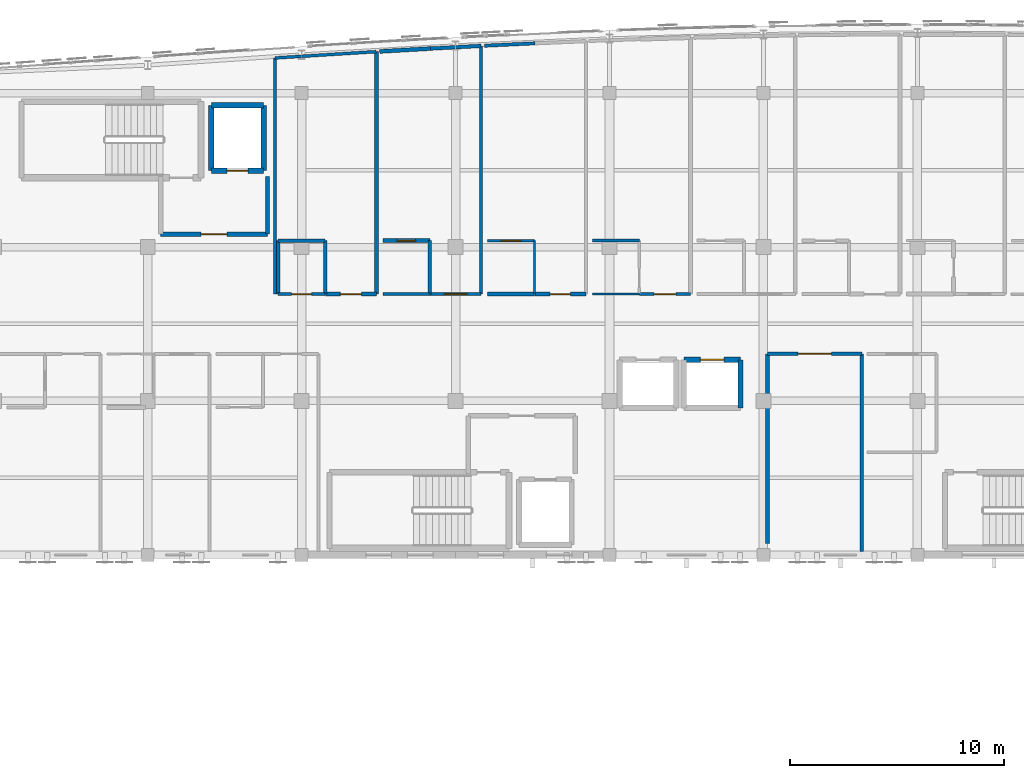
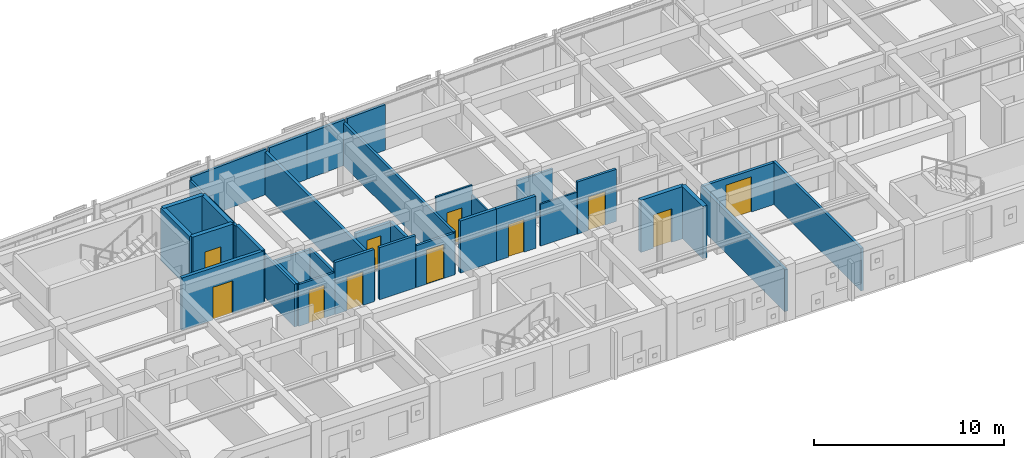
# One storey, part 60 of 73: 34 walls, 11 doors, 11 openings.
"""IFC4 building model written with IfcOpenShell, lengths in metres."""

import ifcopenshell
import ifcopenshell.guid

model = None  # the IFC model being written
_history = None  # IfcOwnerHistory: only IFC2X3 demands one
_inside = {}  # id of a spatial element -> (the spatial element, [elements in it])
_under = {}  # id of a project, library or spatial element -> (it, [spatial elements below it])
_declared = {}  # id of a project -> (the project, [libraries it declares])
_typed = {}  # id of a type object -> (the type object, [elements of that type])
_made_of = {}  # id of a material, layer set ... -> (it, [elements and type objects made of it])


def new_model(schema):
    """Start an empty IFC model of exactly this schema.

    Asked for "IFC4X3", IfcOpenShell would pick the latest addendum, in which some entities
    have other attributes; the version numbers below select the first issue.
    IFC2X3 requires an IfcOwnerHistory on every rooted entity: one is made here for all.
    """
    global model, _history
    if schema == "IFC4X3":
        model = ifcopenshell.file(schema_version=(4, 3, 0, 0))
    else:
        model = ifcopenshell.file(schema=schema)
    _inside.clear()
    _under.clear()
    _declared.clear()
    _typed.clear()
    _made_of.clear()
    _history = None
    if model.schema == "IFC2X3":
        org = make("IfcOrganization", Name="unknown")
        user = make(
            "IfcPersonAndOrganization",
            ThePerson=make("IfcPerson", FamilyName="unknown"),
            TheOrganization=org,
        )
        app = make(
            "IfcApplication",
            ApplicationDeveloper=org,
            Version="unknown",
            ApplicationFullName="unknown",
            ApplicationIdentifier="unknown",
        )
        _history = make(
            "IfcOwnerHistory",
            OwningUser=user,
            OwningApplication=app,
            ChangeAction="ADDED",
            CreationDate=0,
        )
    return model


def make(cls, **values):
    """One entity of the class cls with the attributes given. An attribute that is None is left unset."""
    return model.create_entity(
        cls, **{name: value for name, value in values.items() if value is not None}
    )


def rooted(cls, **values):
    """An entity with a GlobalId (a new one), such as an element, a storey or a relation."""
    return make(cls, GlobalId=ifcopenshell.guid.new(), OwnerHistory=_history, **values)


def si_unit(unit_type, name, prefix=None):
    """IfcSIUnit, for example si_unit("LENGTHUNIT", "METRE", prefix="MILLI")."""
    return make("IfcSIUnit", UnitType=unit_type, Prefix=prefix, Name=name)


def assignment(units):
    """IfcUnitAssignment: the units of a project."""
    return None if units is None else make("IfcUnitAssignment", Units=units)


def point(xyz):
    """IfcCartesianPoint."""
    return None if xyz is None else make("IfcCartesianPoint", Coordinates=xyz)


def direction(xyz):
    """IfcDirection."""
    return None if xyz is None else make("IfcDirection", DirectionRatios=xyz)


def frame(location, z_axis=None, x_axis=None):
    """IfcAxis2Placement3D, a coordinate frame: its origin and axes. An axis left out is left unset."""
    return make(
        "IfcAxis2Placement3D",
        Location=point(location),
        Axis=direction(z_axis),
        RefDirection=direction(x_axis),
    )


def frame_2d(location, x_axis=None):
    """IfcAxis2Placement2D, a coordinate frame in the plane: its origin and x axis."""
    return make(
        "IfcAxis2Placement2D", Location=point(location), RefDirection=direction(x_axis)
    )


def origin():
    """The frame at (0, 0, 0) with its axes left unset."""
    return frame((0.0, 0.0, 0.0))


def place(relative_to, where):
    """IfcLocalPlacement: puts the frame where relative to a parent placement (None: the world)."""
    return make(
        "IfcLocalPlacement", PlacementRelTo=relative_to, RelativePlacement=where
    )


def context(
    kind, dimensions, precision=None, world=None, true_north=None, identifier=None
):
    """IfcGeometricRepresentationContext, for example the 3D "Model" context."""
    return make(
        "IfcGeometricRepresentationContext",
        ContextIdentifier=identifier,
        ContextType=kind,
        CoordinateSpaceDimension=dimensions,
        Precision=precision,
        WorldCoordinateSystem=world,
        TrueNorth=true_north,
    )


def subcontext(parent, identifier, kind, view, scale=None):
    """IfcGeometricRepresentationSubContext, for example "Body" below "Model"."""
    return make(
        "IfcGeometricRepresentationSubContext",
        ContextIdentifier=identifier,
        ContextType=kind,
        ParentContext=parent,
        TargetScale=scale,
        TargetView=view,
    )


def project(units=None, contexts=None):
    """IfcProject with its units and contexts."""
    return rooted(
        "IfcProject",
        Name="project",
        RepresentationContexts=contexts,
        UnitsInContext=assignment(units),
    )


def spatial(cls, under=None, at=None, **own):
    """A site, building, storey or space (cls), placed at a placement, below another one or the project."""
    s = rooted(cls, ObjectPlacement=at, **own)
    if under is not None:
        _under.setdefault(under.id(), (under, []))[1].append(s)
    return s


def profile(cls, at=None, kind="AREA", **sizes):
    """A parametric profile (cls). Its sizes go by their IFC names, for example OverallWidth=200.0."""
    return make(cls, ProfileType=kind, Position=at, **sizes)


def rectangle(**sizes):
    """IfcRectangleProfileDef."""
    return profile("IfcRectangleProfileDef", **sizes)


def extrude(swept, where, along, depth):
    """IfcExtrudedAreaSolid: the profile swept, set in the frame where, extruded along a direction by depth."""
    return make(
        "IfcExtrudedAreaSolid",
        SweptArea=swept,
        Position=where,
        ExtrudedDirection=direction(along),
        Depth=depth,
    )


def shape(context_of_items, identifier, shape_type, items):
    """IfcShapeRepresentation: the items that make up one representation, for example the "Body"."""
    return make(
        "IfcShapeRepresentation",
        ContextOfItems=context_of_items,
        RepresentationIdentifier=identifier,
        RepresentationType=shape_type,
        Items=items,
    )


def material(Name=None, Category=None):
    """IfcMaterial."""
    return make("IfcMaterial", Name=Name, Category=Category)


def layer(
    of_material, thickness, ventilated=None, Name=None, Category=None, Priority=None
):
    """IfcMaterialLayer: one layer of a wall or slab, of a material (None: an air gap)."""
    return make(
        "IfcMaterialLayer",
        Material=of_material,
        LayerThickness=thickness,
        IsVentilated=ventilated,
        Name=Name,
        Category=Category,
        Priority=Priority,
    )


def layer_set(layers, Name=None):
    """IfcMaterialLayerSet."""
    return make("IfcMaterialLayerSet", MaterialLayers=layers, LayerSetName=Name)


def made_of(thing, what):
    """Note that an element or type object is made of a material, layer set ...; save() writes the relation."""
    if what is not None:
        _made_of.setdefault(what.id(), (what, []))[1].append(thing)
    return thing


def type_object(cls, material=None, **own):
    """A type object (cls), such as IfcWallType, which elements share."""
    return made_of(rooted(cls, **own), material)


def element(
    cls,
    number,
    at=None,
    inside=None,
    cuts=None,
    type_object=None,
    material=None,
    context=None,
    identifier="Body",
    shape_type=None,
    held_by="IfcProductDefinitionShape",
    body=None,
    shapes=None,
    **own,
):
    """One element of the class cls, such as IfcWall. Its Tag is "e" and its number.

    at: its placement. inside: the storey or other place that contains it. cuts: it is an
    opening in that element (IfcRelVoidsElement). A single representation is given by context,
    identifier, shape_type and body (its items); several are given by shapes. held_by: the class
    of the entity that holds the representations. save() writes the other relations.
    """
    e = rooted(cls, Tag="e%d" % number, ObjectPlacement=at, **own)
    if body is not None:
        shapes = [shape(context, identifier, shape_type, body)]
    if shapes is not None:
        e.Representation = make(held_by, Representations=shapes)
    if inside is not None:
        _inside.setdefault(inside.id(), (inside, []))[1].append(e)
    if cuts is not None:
        rooted(
            "IfcRelVoidsElement", RelatingBuildingElement=cuts, RelatedOpeningElement=e
        )
    if type_object is not None:
        _typed.setdefault(type_object.id(), (type_object, []))[1].append(e)
    return made_of(e, material)


def fill(opening, filler):
    """IfcRelFillsElement: the door or window that sits in an opening."""
    return rooted(
        "IfcRelFillsElement",
        RelatingOpeningElement=opening,
        RelatedBuildingElement=filler,
    )


def aggregate(whole, parts):
    """IfcRelAggregates: a whole, such as a stair, and the parts it consists of."""
    return rooted("IfcRelAggregates", RelatingObject=whole, RelatedObjects=parts)


def save(model, path):
    """Write the relations noted so far, then the file.

    IfcRelAggregates (storeys below a building ...), IfcRelContainedInSpatialStructure (elements
    in a storey), IfcRelDefinesByType, IfcRelAssociatesMaterial and IfcRelDeclares: one each for
    every whole, place, type object, material and project.
    """
    for whole, parts in _under.values():
        aggregate(whole, parts)
    for where, things in _inside.values():
        rooted(
            "IfcRelContainedInSpatialStructure",
            RelatedElements=things,
            RelatingStructure=where,
        )
    for kind, things in _typed.values():
        rooted("IfcRelDefinesByType", RelatedObjects=things, RelatingType=kind)
    for what, things in _made_of.values():
        rooted("IfcRelAssociatesMaterial", RelatedObjects=things, RelatingMaterial=what)
    for by, libraries in _declared.values():
        rooted("IfcRelDeclares", RelatingContext=by, RelatedDefinitions=libraries)
    model.write(path)


model = new_model("IFC4")

# Units and contexts
model_context = context("Model", 3, precision=1e-05, world=origin(), true_north=direction((0.0, 1.0)))
body_context = subcontext(model_context, "Body", "Model", "MODEL_VIEW")
ifc_project = project(units=[si_unit("LENGTHUNIT", "METRE"), si_unit("AREAUNIT", "SQUARE_METRE"), si_unit("VOLUMEUNIT", "CUBIC_METRE"), si_unit("PLANEANGLEUNIT", "RADIAN"), si_unit("MASSUNIT", "GRAM", prefix="KILO")], contexts=[model_context])

# Site, building, storey
site_placement = place(None, origin())
site = spatial("IfcSite", under=ifc_project, at=site_placement, CompositionType="ELEMENT")
building_placement = place(site_placement, origin())
building = spatial("IfcBuilding", under=site, at=building_placement, Name="Carrowvane Square Congress Hotel", CompositionType="ELEMENT")
storey_placement = place(building_placement, frame((0.0, 0.0, 19.199951171875)))
storey = spatial("IfcBuildingStorey", under=building, at=storey_placement, Name="L04", CompositionType="ELEMENT", Elevation=19.199951171875)

# Walls
ifc_material_1 = material(Name="Acoustic gypsum board", Category="gypsum")
ifc_layer_1 = layer(ifc_material_1, 0.155029296875)
ifc_layer_set_1 = layer_set([ifc_layer_1], Name="Acoustic gypsum board")
wall_type_1 = type_object("IfcWallType", Name="WL-FIR-155", PredefinedType="PARTITIONING", material=ifc_layer_set_1)
wall_1_placement = place(storey_placement, frame((95.39990234375, 101.199951171875, 0.0), z_axis=(0.0, 0.0, 1.0), x_axis=(0.0, -1.0, 0.0)))
element("IfcWall", 1, at=wall_1_placement, inside=storey, type_object=wall_type_1, Name="L04 L04 Housekeeping Linen Pantry partition", PredefinedType="PARTITIONING", context=body_context, shape_type="SweptSolid", body=[
    extrude(rectangle(XDim=9.239990234375, YDim=0.155029296875, at=frame_2d((4.6201171875, 0.0))), origin(), (0.0, 0.0, 1.0), 2.735107421875),
])
wall_2_placement = place(storey_placement, frame((68.10009765625, 106.5, 0.0), z_axis=(0.0, 0.0, 1.0), x_axis=(1.0, 0.0, 0.0)))
element("IfcWall", 2, at=wall_2_placement, inside=storey, type_object=wall_type_1, Name="L04 En-suite Bathroom 0410 partition", PredefinedType="PARTITIONING", context=body_context, shape_type="SweptSolid", body=[
    extrude(rectangle(XDim=2.199951171875, YDim=0.155029296875, at=frame_2d((1.10009765625, 0.0))), origin(), (0.0, 0.0, 1.0), 2.68505859375),
])
wall_3_placement = place(storey_placement, frame((75.199951171875, 104.0, 0.0), z_axis=(0.0, 0.0, 1.0), x_axis=(-1.0, 0.0, 0.0)))
element("IfcWall", 3, at=wall_3_placement, inside=storey, type_object=wall_type_1, Name="L04 En-suite Bathroom 0411 partition", PredefinedType="PARTITIONING", context=body_context, shape_type="SweptSolid", body=[
    extrude(rectangle(XDim=2.199951171875, YDim=0.155029296875, at=frame_2d((1.10009765625, 0.0))), origin(), (0.0, 0.0, 1.0), 3.35009765625),
])
wall_4_placement = place(storey_placement, frame((77.590087890625, 115.607421875, 0.0), z_axis=(0.0, 0.0, 1.0), x_axis=(0.0, -1.0, 0.0)))
element("IfcWall", 4, at=wall_4_placement, inside=storey, type_object=wall_type_1, Name="L04 Parkview Guest Bedroom 0411 partition", PredefinedType="PARTITIONING", context=body_context, shape_type="SweptSolid", body=[
    extrude(rectangle(XDim=11.607421875, YDim=0.155029296875, at=frame_2d((5.8037109375, 0.0))), origin(), (0.0, 0.0, 1.0), 2.735107421875),
])
wall_5_placement = place(storey_placement, frame((77.75, 115.615478515625, 0.0), z_axis=(0.0, 0.0, 1.0), x_axis=(0.998864643261, 0.047638476497, 0.0)))
element("IfcWall", 5, at=wall_5_placement, inside=storey, type_object=wall_type_1, Name="L04 Parkview Guest Bedroom 0412 partition", PredefinedType="PARTITIONING", context=body_context, shape_type="SweptSolid", body=[
    extrude(rectangle(XDim=2.372802734375, YDim=0.155029296875, at=frame_2d((1.1865234375, 0.0))), origin(), (0.0, 0.0, 1.0), 2.925537109375),
])

# Wall, opening, door
wall_6_placement = place(storey_placement, frame((87.389892578125, 104.0, 0.0), z_axis=(0.0, 0.0, 1.0), x_axis=(-1.0, 0.0, 0.0)))
wall_6 = element("IfcWall", 6, at=wall_6_placement, inside=storey, type_object=wall_type_1, Name="L04 Parkview Guest Bedroom 0413 partition", PredefinedType="PARTITIONING", context=body_context, shape_type="SweptSolid", body=[
    extrude(rectangle(XDim=2.3798828125, YDim=0.155029296875, at=frame_2d((1.18994140625, 0.0))), origin(), (0.0, 0.0, 1.0), 3.35009765625),
])
opening_1_placement = place(wall_6_placement, frame((0.679931640625, 0.0, 0.0)))
opening_1 = element("IfcOpeningElement", 7, at=opening_1_placement, cuts=wall_6, Name="Opening FD-08", PredefinedType="OPENING", context=body_context, shape_type="SweptSolid", body=[
    extrude(rectangle(XDim=1.02001953125, YDim=2.14990234375, at=frame_2d((0.510009765625, 1.074951171875))), frame((0.0, 0.08740234375, 0.0), z_axis=(0.0, -1.0, 0.0), x_axis=(1.0, 0.0, 0.0)), (0.0, 0.0, 1.0), 0.175048828125),
])
ifc_material_2 = material(Name="European oak timber", Category="wood")
door_type_1 = type_object("IfcDoorType", Name="DR-FD30-1020x2150", OperationType="NOTDEFINED", PredefinedType="DOOR", material=ifc_material_2)
door_1_placement = place(opening_1_placement, origin())
door_1 = element("IfcDoor", 8, at=door_1_placement, inside=storey, type_object=door_type_1, Name="L04 Parkview Guest Bedroom 0413 entrance door", OperationType="SINGLE_SWING_RIGHT", OverallHeight=2.14990234375, OverallWidth=1.02001953125, PredefinedType="DOOR", context=body_context, shape_type="SweptSolid", body=[
    extrude(rectangle(XDim=1.02001953125, YDim=2.14990234375, at=frame_2d((0.510009765625, 1.074951171875))), frame((0.0, 0.02490234375, 0.0), z_axis=(0.0, -1.0, 0.0), x_axis=(1.0, 0.0, 0.0)), (0.0, 0.0, 1.0), 0.050048828125),
])
fill(opening_1, door_1)

ifc_material_3 = material(Name="Acoustic gypsum board", Category="gypsum")
ifc_layer_2 = layer(ifc_material_3, 0.169921875)
ifc_layer_set_2 = layer_set([ifc_layer_2], Name="Acoustic gypsum board")
wall_type_2 = type_object("IfcWallType", Name="WL-FIR-170", PredefinedType="PARTITIONING", material=ifc_layer_set_2)
wall_7_placement = place(storey_placement, frame((91.0, 101.199951171875, 0.0), z_axis=(0.0, 0.0, 1.0), x_axis=(1.0, 0.0, 0.0)))
wall_7 = element("IfcWall", 9, at=wall_7_placement, inside=storey, type_object=wall_type_2, Name="L04 L04 Housekeeping Linen Pantry partition", PredefinedType="PARTITIONING", context=body_context, shape_type="SweptSolid", body=[
    extrude(rectangle(XDim=4.39990234375, YDim=0.169921875, at=frame_2d((2.199951171875, 0.0))), origin(), (0.0, 0.0, 1.0), 2.68505859375),
])
opening_2_placement = place(wall_7_placement, frame((1.419921875, 0.0, 0.0)))
opening_2 = element("IfcOpeningElement", 10, at=opening_2_placement, cuts=wall_7, Name="Opening ID-26", PredefinedType="OPENING", context=body_context, shape_type="SweptSolid", body=[
    extrude(rectangle(XDim=1.56005859375, YDim=2.260009765625, at=frame_2d((0.780029296875, 1.1298828125))), frame((0.0, 0.094970703125, 0.0), z_axis=(0.0, -1.0, 0.0), x_axis=(1.0, 0.0, 0.0)), (0.0, 0.0, 1.0), 0.18994140625),
])
ifc_material_4 = material(Name="European oak timber", Category="wood")
door_type_2 = type_object("IfcDoorType", Name="DR-INT-1560x2260", OperationType="DOUBLE_DOOR_SINGLE_SWING", PredefinedType="DOOR", material=ifc_material_4)
door_2_placement = place(opening_2_placement, origin())
door_2 = element("IfcDoor", 11, at=door_2_placement, inside=storey, type_object=door_type_2, Name="L04 L04 Housekeeping Linen Pantry entrance door", OperationType="DOUBLE_DOOR_SINGLE_SWING", OverallHeight=2.260009765625, OverallWidth=1.56005859375, PredefinedType="DOOR", context=body_context, shape_type="SweptSolid", body=[
    extrude(rectangle(XDim=1.56005859375, YDim=2.260009765625, at=frame_2d((0.780029296875, 1.1298828125))), frame((0.0, 0.02490234375, 0.0), z_axis=(0.0, -1.0, 0.0), x_axis=(1.0, 0.0, 0.0)), (0.0, 0.0, 1.0), 0.050048828125),
])
fill(opening_2, door_2)

# Wall
wall_8_placement = place(storey_placement, frame((68.10009765625, 104.0, 0.0), z_axis=(0.0, 0.0, 1.0), x_axis=(0.0, 1.0, 0.0)))
element("IfcWall", 12, at=wall_8_placement, inside=storey, type_object=wall_type_2, Name="L04 En-suite Bathroom 0410 partition", PredefinedType="PARTITIONING", context=body_context, shape_type="SweptSolid", body=[
    extrude(rectangle(XDim=2.5, YDim=0.169921875, at=frame_2d((1.25, 0.0))), origin(), (0.0, 0.0, 1.0), 2.735107421875),
])

# Wall, opening, door
wall_9_placement = place(storey_placement, frame((72.68994140625, 104.0, 0.0), z_axis=(0.0, 0.0, 1.0), x_axis=(-1.0, 0.0, 0.0)))
wall_9 = element("IfcWall", 13, at=wall_9_placement, inside=storey, type_object=wall_type_2, Name="L04 Parkview Guest Bedroom 0410 partition", PredefinedType="PARTITIONING", context=body_context, shape_type="SweptSolid", body=[
    extrude(rectangle(XDim=2.3798828125, YDim=0.169921875, at=frame_2d((1.18994140625, 0.0))), origin(), (0.0, 0.0, 1.0), 3.35009765625),
])
opening_3_placement = place(wall_9_placement, frame((0.699951171875, 0.0, 0.0)))
opening_3 = element("IfcOpeningElement", 14, at=opening_3_placement, cuts=wall_9, Name="Opening FD-07", PredefinedType="OPENING", context=body_context, shape_type="SweptSolid", body=[
    extrude(rectangle(XDim=0.97998046875, YDim=2.14990234375, at=frame_2d((0.489990234375, 1.074951171875))), frame((0.0, 0.094970703125, 0.0), z_axis=(0.0, -1.0, 0.0), x_axis=(1.0, 0.0, 0.0)), (0.0, 0.0, 1.0), 0.18994140625),
])
ifc_material_5 = material(Name="European oak timber", Category="wood")
door_type_3 = type_object("IfcDoorType", Name="DR-FD30-0980x2150", OperationType="NOTDEFINED", PredefinedType="DOOR", material=ifc_material_5)
door_3_placement = place(opening_3_placement, origin())
door_3 = element("IfcDoor", 15, at=door_3_placement, inside=storey, type_object=door_type_3, Name="L04 Parkview Guest Bedroom 0410 entrance door", OperationType="SINGLE_SWING_RIGHT", OverallHeight=2.14990234375, OverallWidth=0.97998046875, PredefinedType="DOOR", context=body_context, shape_type="SweptSolid", body=[
    extrude(rectangle(XDim=0.97998046875, YDim=2.14990234375, at=frame_2d((0.489990234375, 1.074951171875))), frame((0.0, 0.02490234375, 0.0), z_axis=(0.0, -1.0, 0.0), x_axis=(1.0, 0.0, 0.0)), (0.0, 0.0, 1.0), 0.050048828125),
])
fill(opening_3, door_3)

# Walls
wall_10_placement = place(storey_placement, frame((75.199951171875, 106.5, 0.0), z_axis=(0.0, 0.0, 1.0), x_axis=(0.0, -1.0, 0.0)))
element("IfcWall", 16, at=wall_10_placement, inside=storey, type_object=wall_type_2, Name="L04 En-suite Bathroom 0411 partition", PredefinedType="PARTITIONING", context=body_context, shape_type="SweptSolid", body=[
    extrude(rectangle(XDim=2.5, YDim=0.169921875, at=frame_2d((1.25, 0.0))), origin(), (0.0, 0.0, 1.0), 2.735107421875),
])
wall_11_placement = place(storey_placement, frame((75.219970703125, 115.48291015625, 0.0), z_axis=(0.0, 0.0, 1.0), x_axis=(0.998622939487, 0.052461650097, 0.0)))
element("IfcWall", 17, at=wall_11_placement, inside=storey, type_object=wall_type_2, Name="L04 Parkview Guest Bedroom 0411 partition", PredefinedType="PARTITIONING", context=body_context, shape_type="SweptSolid", body=[
    extrude(rectangle(XDim=2.373291015625, YDim=0.169921875, at=frame_2d((1.1865234375, 0.0))), origin(), (0.0, 0.0, 1.0), 2.925537109375),
])
ifc_material_6 = material(Name="Acoustic gypsum board", Category="gypsum")
ifc_layer_3 = layer(ifc_material_6, 0.18505859375)
ifc_layer_set_3 = layer_set([ifc_layer_3], Name="Acoustic gypsum board")
wall_type_3 = type_object("IfcWallType", Name="WL-FIR-185", PredefinedType="PARTITIONING", material=ifc_layer_set_3)
wall_12_placement = place(storey_placement, frame((91.0, 92.320068359375, 0.0), z_axis=(0.0, 0.0, 1.0), x_axis=(0.0, 1.0, 0.0)))
element("IfcWall", 18, at=wall_12_placement, inside=storey, type_object=wall_type_3, Name="L04 L04 Housekeeping Linen Pantry partition", PredefinedType="PARTITIONING", context=body_context, shape_type="SweptSolid", body=[
    extrude(rectangle(XDim=8.8798828125, YDim=0.18505859375, at=frame_2d((4.43994140625, 0.0))), origin(), (0.0, 0.0, 1.0), 2.68505859375),
])
wall_13_placement = place(storey_placement, frame((72.68994140625, 115.338623046875, 0.0), z_axis=(0.0, 0.0, 1.0), x_axis=(0.0, -1.0, 0.0)))
element("IfcWall", 19, at=wall_13_placement, inside=storey, type_object=wall_type_3, Name="L04 Parkview Guest Bedroom 0410 partition", PredefinedType="PARTITIONING", context=body_context, shape_type="SweptSolid", body=[
    extrude(rectangle(XDim=11.338623046875, YDim=0.18505859375, at=frame_2d((5.66943359375, 0.0))), origin(), (0.0, 0.0, 1.0), 2.735107421875),
])

# Wall, opening, door
wall_14_placement = place(storey_placement, frame((73.0, 106.5, 0.0), z_axis=(0.0, 0.0, 1.0), x_axis=(1.0, 0.0, 0.0)))
wall_14 = element("IfcWall", 20, at=wall_14_placement, inside=storey, type_object=wall_type_3, Name="L04 En-suite Bathroom 0411 partition", PredefinedType="PARTITIONING", context=body_context, shape_type="SweptSolid", body=[
    extrude(rectangle(XDim=2.199951171875, YDim=0.18505859375, at=frame_2d((1.10009765625, 0.0))), origin(), (0.0, 0.0, 1.0), 2.735107421875),
])
opening_4_placement = place(wall_14_placement, frame((0.6650390625, 0.0, 0.0)))
opening_4 = element("IfcOpeningElement", 21, at=opening_4_placement, cuts=wall_14, Name="Opening ID-15", PredefinedType="OPENING", context=body_context, shape_type="SweptSolid", body=[
    extrude(rectangle(XDim=0.8701171875, YDim=2.070068359375, at=frame_2d((0.43505859375, 1.03515625))), frame((0.0, 0.1025390625, 0.0), z_axis=(0.0, -1.0, 0.0), x_axis=(1.0, 0.0, 0.0)), (0.0, 0.0, 1.0), 0.205078125),
])
ifc_material_7 = material(Name="European oak timber", Category="wood")
door_type_4 = type_object("IfcDoorType", Name="DR-INT-0870x2070", OperationType="NOTDEFINED", PredefinedType="DOOR", material=ifc_material_7)
door_4_placement = place(opening_4_placement, origin())
door_4 = element("IfcDoor", 22, at=door_4_placement, inside=storey, type_object=door_type_4, Name="L04 En-suite Bathroom 0411 door", OperationType="SINGLE_SWING_LEFT", OverallHeight=2.070068359375, OverallWidth=0.8701171875, PredefinedType="DOOR", context=body_context, shape_type="SweptSolid", body=[
    extrude(rectangle(XDim=0.8701171875, YDim=2.070068359375, at=frame_2d((0.43505859375, 1.03515625))), frame((0.0, 0.02490234375, 0.0), z_axis=(0.0, -1.0, 0.0), x_axis=(1.0, 0.0, 0.0)), (0.0, 0.0, 1.0), 0.050048828125),
])
fill(opening_4, door_4)

# Walls
wall_15_placement = place(storey_placement, frame((72.85009765625, 115.34814453125, 0.0), z_axis=(0.0, 0.0, 1.0), x_axis=(0.99838702976, 0.056774455592, 0.0)))
element("IfcWall", 23, at=wall_15_placement, inside=storey, type_object=wall_type_3, Name="L04 Parkview Guest Bedroom 0411 partition", PredefinedType="PARTITIONING", context=body_context, shape_type="SweptSolid", body=[
    extrude(rectangle(XDim=2.373779296875, YDim=0.18505859375, at=frame_2d((1.18701171875, 0.0))), origin(), (0.0, 0.0, 1.0), 2.925537109375),
])
wall_16_placement = place(storey_placement, frame((80.10009765625, 104.0, 0.0), z_axis=(0.0, 0.0, 1.0), x_axis=(-1.0, 0.0, 0.0)))
element("IfcWall", 24, at=wall_16_placement, inside=storey, type_object=wall_type_3, Name="L04 En-suite Bathroom 0412 partition", PredefinedType="PARTITIONING", context=body_context, shape_type="SweptSolid", body=[
    extrude(rectangle(XDim=2.2001953125, YDim=0.18505859375, at=frame_2d((1.10009765625, 0.0))), origin(), (0.0, 0.0, 1.0), 3.35009765625),
])

# Wall, opening, door
wall_17_placement = place(storey_placement, frame((82.489990234375, 104.0, 0.0), z_axis=(0.0, 0.0, 1.0), x_axis=(-1.0, 0.0, 0.0)))
wall_17 = element("IfcWall", 25, at=wall_17_placement, inside=storey, type_object=wall_type_3, Name="L04 Parkview Guest Bedroom 0412 partition", PredefinedType="PARTITIONING", context=body_context, shape_type="SweptSolid", body=[
    extrude(rectangle(XDim=2.3798828125, YDim=0.18505859375, at=frame_2d((1.18994140625, 0.0))), origin(), (0.0, 0.0, 1.0), 3.35009765625),
])
opening_5_placement = place(wall_17_placement, frame((0.715087890625, 0.0, 0.0)))
opening_5 = element("IfcOpeningElement", 26, at=opening_5_placement, cuts=wall_17, Name="Opening FD-06", PredefinedType="OPENING", context=body_context, shape_type="SweptSolid", body=[
    extrude(rectangle(XDim=0.949951171875, YDim=2.10009765625, at=frame_2d((0.47509765625, 1.050048828125))), frame((0.0, 0.1025390625, 0.0), z_axis=(0.0, -1.0, 0.0), x_axis=(1.0, 0.0, 0.0)), (0.0, 0.0, 1.0), 0.205078125),
])
ifc_material_8 = material(Name="European oak timber", Category="wood")
door_type_5 = type_object("IfcDoorType", Name="DR-FD30-0950x2100", OperationType="NOTDEFINED", PredefinedType="DOOR", material=ifc_material_8)
door_5_placement = place(opening_5_placement, origin())
door_5 = element("IfcDoor", 27, at=door_5_placement, inside=storey, type_object=door_type_5, Name="L04 Parkview Guest Bedroom 0412 entrance door", OperationType="SINGLE_SWING_RIGHT", OverallHeight=2.10009765625, OverallWidth=0.949951171875, PredefinedType="DOOR", context=body_context, shape_type="SweptSolid", body=[
    extrude(rectangle(XDim=0.949951171875, YDim=2.10009765625, at=frame_2d((0.47509765625, 1.050048828125))), frame((0.0, 0.02490234375, 0.0), z_axis=(0.0, -1.0, 0.0), x_axis=(1.0, 0.0, 0.0)), (0.0, 0.0, 1.0), 0.050048828125),
])
fill(opening_5, door_5)

ifc_material_9 = material(Name="Acoustic gypsum board", Category="gypsum")
ifc_layer_4 = layer(ifc_material_9, 0.205078125)
ifc_layer_set_4 = layer_set([ifc_layer_4], Name="Acoustic gypsum board")
wall_type_4 = type_object("IfcWallType", Name="WL-FIR-205", PredefinedType="PARTITIONING", material=ifc_layer_set_4)
wall_18_placement = place(storey_placement, frame((62.60009765625, 106.800048828125, 0.0), z_axis=(0.0, 0.0, 1.0), x_axis=(1.0, 0.0, 0.0)))
wall_18 = element("IfcWall", 28, at=wall_18_placement, inside=storey, type_object=wall_type_4, Name="L04 Firefighting Lobby C1 wall south", PredefinedType="PARTITIONING", context=body_context, shape_type="SweptSolid", body=[
    extrude(rectangle(XDim=5.0, YDim=0.205078125, at=frame_2d((2.5, 0.0))), origin(), (0.0, 0.0, 1.0), 3.35009765625),
])
opening_6_placement = place(wall_18_placement, frame((1.89990234375, 0.0, 0.0)))
opening_6 = element("IfcOpeningElement", 29, at=opening_6_placement, cuts=wall_18, Name="Opening FD-02", PredefinedType="OPENING", context=body_context, shape_type="SweptSolid", body=[
    extrude(rectangle(XDim=1.199951171875, YDim=2.10009765625, at=frame_2d((0.60009765625, 1.050048828125))), frame((0.0, 0.112548828125, 0.0), z_axis=(0.0, -1.0, 0.0), x_axis=(1.0, 0.0, 0.0)), (0.0, 0.0, 1.0), 0.22509765625),
])
ifc_material_10 = material(Name="European oak timber", Category="wood")
door_type_6 = type_object("IfcDoorType", Name="DR-FD60-1200x2100", OperationType="NOTDEFINED", PredefinedType="DOOR", material=ifc_material_10)
door_6_placement = place(opening_6_placement, origin())
door_6 = element("IfcDoor", 30, at=door_6_placement, inside=storey, type_object=door_type_6, Name="L04 Firefighting Lobby C1 entrance door", OperationType="SINGLE_SWING_LEFT", OverallHeight=2.10009765625, OverallWidth=1.199951171875, PredefinedType="DOOR", context=body_context, shape_type="SweptSolid", body=[
    extrude(rectangle(XDim=1.199951171875, YDim=2.10009765625, at=frame_2d((0.60009765625, 1.050048828125))), frame((0.0, 0.02490234375, 0.0), z_axis=(0.0, -1.0, 0.0), x_axis=(1.0, 0.0, 0.0)), (0.0, 0.0, 1.0), 0.050048828125),
])
fill(opening_6, door_6)

# Walls
wall_19_placement = place(storey_placement, frame((67.60009765625, 106.800048828125, 0.0), z_axis=(0.0, 0.0, 1.0), x_axis=(0.0, 1.0, 0.0)))
element("IfcWall", 31, at=wall_19_placement, inside=storey, type_object=wall_type_4, Name="L04 Firefighting Lobby C1 wall east", PredefinedType="PARTITIONING", context=body_context, shape_type="SweptSolid", body=[
    extrude(rectangle(XDim=2.699951171875, YDim=0.205078125, at=frame_2d((1.35009765625, 0.0))), origin(), (0.0, 0.0, 1.0), 3.35009765625),
])
ifc_material_11 = material(Name="Acoustic gypsum board", Category="gypsum")
ifc_layer_5 = layer(ifc_material_11, 0.097900390625)
ifc_layer_set_5 = layer_set([ifc_layer_5], Name="Acoustic gypsum board")
wall_type_5 = type_object("IfcWallType", Name="WL-PRT-098", PredefinedType="PARTITIONING", material=ifc_layer_set_5)
wall_20_placement = place(storey_placement, frame((80.10009765625, 106.5, 0.0), z_axis=(0.0, 0.0, 1.0), x_axis=(0.0, -1.0, 0.0)))
element("IfcWall", 32, at=wall_20_placement, inside=storey, type_object=wall_type_5, Name="L04 En-suite Bathroom 0412 partition", PredefinedType="PARTITIONING", context=body_context, shape_type="SweptSolid", body=[
    extrude(rectangle(XDim=2.5, YDim=0.097900390625, at=frame_2d((1.25, 0.0))), origin(), (0.0, 0.0, 1.0), 2.735107421875),
])

# Wall, opening, door
ifc_material_12 = material(Name="Acoustic gypsum board", Category="gypsum")
ifc_layer_6 = layer(ifc_material_12, 0.10791015625)
ifc_layer_set_6 = layer_set([ifc_layer_6], Name="Acoustic gypsum board")
wall_type_6 = type_object("IfcWallType", Name="WL-PRT-108", PredefinedType="PARTITIONING", material=ifc_layer_set_6)
wall_21_placement = place(storey_placement, frame((77.89990234375, 106.5, 0.0), z_axis=(0.0, 0.0, 1.0), x_axis=(1.0, 0.0, 0.0)))
wall_21 = element("IfcWall", 33, at=wall_21_placement, inside=storey, type_object=wall_type_6, Name="L04 En-suite Bathroom 0412 partition", PredefinedType="PARTITIONING", context=body_context, shape_type="SweptSolid", body=[
    extrude(rectangle(XDim=2.2001953125, YDim=0.10791015625, at=frame_2d((1.10009765625, 0.0))), origin(), (0.0, 0.0, 1.0), 3.35009765625),
])
opening_7_placement = place(wall_21_placement, frame((0.64501953125, 0.0, 0.0)))
opening_7 = element("IfcOpeningElement", 34, at=opening_7_placement, cuts=wall_21, Name="Opening ID-17", PredefinedType="OPENING", context=body_context, shape_type="SweptSolid", body=[
    extrude(rectangle(XDim=0.909912109375, YDim=2.110107421875, at=frame_2d((0.455078125, 1.05517578125))), frame((0.0, 0.06396484375, 0.0), z_axis=(0.0, -1.0, 0.0), x_axis=(1.0, 0.0, 0.0)), (0.0, 0.0, 1.0), 0.1279296875),
])
ifc_material_13 = material(Name="European oak timber", Category="wood")
door_type_7 = type_object("IfcDoorType", Name="DR-INT-0910x2110", OperationType="NOTDEFINED", PredefinedType="DOOR", material=ifc_material_13)
door_7_placement = place(opening_7_placement, origin())
door_7 = element("IfcDoor", 35, at=door_7_placement, inside=storey, type_object=door_type_7, Name="L04 En-suite Bathroom 0412 door", OperationType="SINGLE_SWING_LEFT", OverallHeight=2.110107421875, OverallWidth=0.909912109375, PredefinedType="DOOR", context=body_context, shape_type="SweptSolid", body=[
    extrude(rectangle(XDim=0.909912109375, YDim=2.110107421875, at=frame_2d((0.455078125, 1.05517578125))), frame((0.0, 0.02490234375, 0.0), z_axis=(0.0, -1.0, 0.0), x_axis=(1.0, 0.0, 0.0)), (0.0, 0.0, 1.0), 0.050048828125),
])
fill(opening_7, door_7)

# Walls
wall_22_placement = place(storey_placement, frame((85.0, 104.0, 0.0), z_axis=(0.0, 0.0, 1.0), x_axis=(-1.0, 0.0, 0.0)))
element("IfcWall", 36, at=wall_22_placement, inside=storey, type_object=wall_type_6, Name="L04 En-suite Bathroom 0413 partition", PredefinedType="PARTITIONING", context=body_context, shape_type="SweptSolid", body=[
    extrude(rectangle(XDim=2.199951171875, YDim=0.10791015625, at=frame_2d((1.10009765625, 0.0))), origin(), (0.0, 0.0, 1.0), 2.68505859375),
])
ifc_material_14 = material(Name="Acoustic gypsum board", Category="gypsum")
ifc_layer_7 = layer(ifc_material_14, 0.1279296875)
ifc_layer_set_7 = layer_set([ifc_layer_7], Name="Acoustic gypsum board")
wall_type_7 = type_object("IfcWallType", Name="WL-PRT-128", PredefinedType="PARTITIONING", material=ifc_layer_set_7)
wall_23_placement = place(storey_placement, frame((82.800048828125, 106.5, 0.0), z_axis=(0.0, 0.0, 1.0), x_axis=(1.0, 0.0, 0.0)))
element("IfcWall", 37, at=wall_23_placement, inside=storey, type_object=wall_type_7, Name="L04 En-suite Bathroom 0413 partition", PredefinedType="PARTITIONING", context=body_context, shape_type="SweptSolid", body=[
    extrude(rectangle(XDim=2.199951171875, YDim=0.1279296875, at=frame_2d((1.10009765625, 0.0))), origin(), (0.0, 0.0, 1.0), 2.68505859375),
])

# Wall, opening, door
ifc_material_15 = material(Name="Acoustic gypsum board", Category="gypsum")
ifc_layer_8 = layer(ifc_material_15, 0.137939453125)
ifc_layer_set_8 = layer_set([ifc_layer_8], Name="Acoustic gypsum board")
wall_type_8 = type_object("IfcWallType", Name="WL-PRT-138", PredefinedType="PARTITIONING", material=ifc_layer_set_8)
wall_24_placement = place(storey_placement, frame((70.300048828125, 104.0, 0.0), z_axis=(0.0, 0.0, 1.0), x_axis=(-1.0, 0.0, 0.0)))
wall_24 = element("IfcWall", 38, at=wall_24_placement, inside=storey, type_object=wall_type_8, Name="L04 En-suite Bathroom 0410 partition", PredefinedType="PARTITIONING", context=body_context, shape_type="SweptSolid", body=[
    extrude(rectangle(XDim=2.199951171875, YDim=0.137939453125, at=frame_2d((1.10009765625, 0.0))), origin(), (0.0, 0.0, 1.0), 2.68505859375),
])
opening_8_placement = place(wall_24_placement, frame((0.6298828125, 0.0, 0.0)))
opening_8 = element("IfcOpeningElement", 39, at=opening_8_placement, cuts=wall_24, Name="Opening ID-04", PredefinedType="OPENING", context=body_context, shape_type="SweptSolid", body=[
    extrude(rectangle(XDim=0.93994140625, YDim=2.1201171875, at=frame_2d((0.469970703125, 1.06005859375))), frame((0.0, 0.078857421875, 0.0), z_axis=(0.0, -1.0, 0.0), x_axis=(1.0, 0.0, 0.0)), (0.0, 0.0, 1.0), 0.157958984375),
])
ifc_material_16 = material(Name="European oak timber", Category="wood")
door_type_8 = type_object("IfcDoorType", Name="DR-INT-0940x2120", OperationType="NOTDEFINED", PredefinedType="DOOR", material=ifc_material_16)
door_8_placement = place(opening_8_placement, origin())
door_8 = element("IfcDoor", 40, at=door_8_placement, inside=storey, type_object=door_type_8, Name="L04 En-suite Bathroom 0410 door", OperationType="SINGLE_SWING_LEFT", OverallHeight=2.1201171875, OverallWidth=0.93994140625, PredefinedType="DOOR", context=body_context, shape_type="SweptSolid", body=[
    extrude(rectangle(XDim=0.93994140625, YDim=2.1201171875, at=frame_2d((0.469970703125, 1.06005859375))), frame((0.0, 0.02490234375, 0.0), z_axis=(0.0, -1.0, 0.0), x_axis=(1.0, 0.0, 0.0)), (0.0, 0.0, 1.0), 0.050048828125),
])
fill(opening_8, door_8)

# Walls
wall_25_placement = place(storey_placement, frame((67.949951171875, 115.042236328125, 0.0), z_axis=(0.0, 0.0, 1.0), x_axis=(0.998050777851, 0.062407089586, 0.0)))
element("IfcWall", 41, at=wall_25_placement, inside=storey, type_object=wall_type_8, Name="L04 Parkview Guest Bedroom 0410 partition", PredefinedType="PARTITIONING", context=body_context, shape_type="SweptSolid", body=[
    extrude(rectangle(XDim=4.749267578125, YDim=0.137939453125, at=frame_2d((2.37451171875, 0.0))), origin(), (0.0, 0.0, 1.0), 2.925537109375),
])
ifc_material_17 = material(Name="Acoustic gypsum board", Category="gypsum")
ifc_layer_9 = layer(ifc_material_17, 0.14794921875)
ifc_layer_set_9 = layer_set([ifc_layer_9], Name="Acoustic gypsum board")
wall_type_9 = type_object("IfcWallType", Name="WL-PRT-148", PredefinedType="PARTITIONING", material=ifc_layer_set_9)
wall_26_placement = place(storey_placement, frame((70.300048828125, 106.5, 0.0), z_axis=(0.0, 0.0, 1.0), x_axis=(0.0, -1.0, 0.0)))
element("IfcWall", 42, at=wall_26_placement, inside=storey, type_object=wall_type_9, Name="L04 En-suite Bathroom 0410 partition", PredefinedType="PARTITIONING", context=body_context, shape_type="SweptSolid", body=[
    extrude(rectangle(XDim=2.5, YDim=0.14794921875, at=frame_2d((1.25, 0.0))), origin(), (0.0, 0.0, 1.0), 2.735107421875),
])
wall_27_placement = place(storey_placement, frame((67.949951171875, 104.0, 0.0), z_axis=(0.0, 0.0, 1.0), x_axis=(0.0, 1.0, 0.0)))
element("IfcWall", 43, at=wall_27_placement, inside=storey, type_object=wall_type_9, Name="L04 Parkview Guest Bedroom 0410 partition", PredefinedType="PARTITIONING", context=body_context, shape_type="SweptSolid", body=[
    extrude(rectangle(XDim=11.042236328125, YDim=0.14794921875, at=frame_2d((5.52099609375, 0.0))), origin(), (0.0, 0.0, 1.0), 2.735107421875),
])

# Wall, opening, door
wall_28_placement = place(storey_placement, frame((77.590087890625, 104.0, 0.0), z_axis=(0.0, 0.0, 1.0), x_axis=(-1.0, 0.0, 0.0)))
wall_28 = element("IfcWall", 44, at=wall_28_placement, inside=storey, type_object=wall_type_9, Name="L04 Parkview Guest Bedroom 0411 partition", PredefinedType="PARTITIONING", context=body_context, shape_type="SweptSolid", body=[
    extrude(rectangle(XDim=2.380126953125, YDim=0.14794921875, at=frame_2d((1.18994140625, 0.0))), origin(), (0.0, 0.0, 1.0), 2.68505859375),
])
opening_9_placement = place(wall_28_placement, frame((0.659912109375, 0.0, 0.0)))
opening_9 = element("IfcOpeningElement", 45, at=opening_9_placement, cuts=wall_28, Name="Opening FD-09", PredefinedType="OPENING", context=body_context, shape_type="SweptSolid", body=[
    extrude(rectangle(XDim=1.06005859375, YDim=2.199951171875, at=frame_2d((0.530029296875, 1.10009765625))), frame((0.0, 0.083984375, 0.0), z_axis=(0.0, -1.0, 0.0), x_axis=(1.0, 0.0, 0.0)), (0.0, 0.0, 1.0), 0.16796875),
])
ifc_material_18 = material(Name="European oak timber", Category="wood")
door_type_9 = type_object("IfcDoorType", Name="DR-FD30-1060x2200", OperationType="NOTDEFINED", PredefinedType="DOOR", material=ifc_material_18)
door_9_placement = place(opening_9_placement, origin())
door_9 = element("IfcDoor", 46, at=door_9_placement, inside=storey, type_object=door_type_9, Name="L04 Parkview Guest Bedroom 0411 entrance door", OperationType="SINGLE_SWING_RIGHT", OverallHeight=2.199951171875, OverallWidth=1.06005859375, PredefinedType="DOOR", context=body_context, shape_type="SweptSolid", body=[
    extrude(rectangle(XDim=1.06005859375, YDim=2.199951171875, at=frame_2d((0.530029296875, 1.10009765625))), frame((0.0, 0.02490234375, 0.0), z_axis=(0.0, -1.0, 0.0), x_axis=(1.0, 0.0, 0.0)), (0.0, 0.0, 1.0), 0.050048828125),
])
fill(opening_9, door_9)

ifc_material_19 = material(Name="Concrete C40/50", Category="concrete")
ifc_layer_10 = layer(ifc_material_19, 0.25)
ifc_layer_set_10 = layer_set([ifc_layer_10], Name="Concrete C40/50")
wall_type_10 = type_object("IfcWallType", Name="WL-SHR-250", PredefinedType="SHEAR", material=ifc_layer_set_10)
wall_29_placement = place(storey_placement, frame((64.97509765625, 109.77490234375, 0.0), z_axis=(0.0, 0.0, 1.0), x_axis=(1.0, 0.0, 0.0)))
wall_29 = element("IfcWall", 47, at=wall_29_placement, inside=storey, type_object=wall_type_10, Name="L04 FFL-1 shaft wall south", PredefinedType="SHEAR", context=body_context, shape_type="SweptSolid", body=[
    extrude(rectangle(XDim=2.449951171875, YDim=0.25, at=frame_2d((1.22509765625, 0.0))), origin(), (0.0, 0.0, 1.0), 3.35009765625),
])
opening_10_placement = place(wall_29_placement, frame((0.72509765625, 0.0, 0.0)))
opening_10 = element("IfcOpeningElement", 48, at=opening_10_placement, cuts=wall_29, Name="Opening LD-FFL-1", PredefinedType="OPENING", context=body_context, shape_type="SweptSolid", body=[
    extrude(rectangle(XDim=1.0, YDim=2.14990234375, at=frame_2d((0.5, 1.074951171875))), frame((0.0, 0.135009765625, 0.0), z_axis=(0.0, -1.0, 0.0), x_axis=(1.0, 0.0, 0.0)), (0.0, 0.0, 1.0), 0.27001953125),
])
ifc_material_20 = material(Name="Stainless steel 316", Category="steel")
door_type_10 = type_object("IfcDoorType", Name="DR-LD-1000x2150", OperationType="DOUBLE_DOOR_SLIDING", PredefinedType="DOOR", material=ifc_material_20)
door_10_placement = place(opening_10_placement, origin())
door_10 = element("IfcDoor", 49, at=door_10_placement, inside=storey, type_object=door_type_10, Name="L04 FFL-1 sliding lift landing door", OperationType="DOUBLE_DOOR_SLIDING", OverallHeight=2.14990234375, OverallWidth=1.0, PredefinedType="DOOR", context=body_context, shape_type="SweptSolid", body=[
    extrude(rectangle(XDim=1.0, YDim=2.14990234375, at=frame_2d((0.5, 1.074951171875))), frame((0.0, 0.02490234375, 0.0), z_axis=(0.0, -1.0, 0.0), x_axis=(1.0, 0.0, 0.0)), (0.0, 0.0, 1.0), 0.050048828125),
])
fill(opening_10, door_10)

# Walls
wall_30_placement = place(storey_placement, frame((67.425048828125, 109.77490234375, 0.0), z_axis=(0.0, 0.0, 1.0), x_axis=(0.0, 1.0, 0.0)))
element("IfcWall", 50, at=wall_30_placement, inside=storey, type_object=wall_type_10, Name="L04 FFL-1 shaft wall east", PredefinedType="SHEAR", context=body_context, shape_type="SweptSolid", body=[
    extrude(rectangle(XDim=3.050048828125, YDim=0.25, at=frame_2d((1.52490234375, 0.0))), origin(), (0.0, 0.0, 1.0), 3.35009765625),
])
wall_31_placement = place(storey_placement, frame((67.425048828125, 112.824951171875, 0.0), z_axis=(0.0, 0.0, 1.0), x_axis=(-1.0, 0.0, 0.0)))
element("IfcWall", 51, at=wall_31_placement, inside=storey, type_object=wall_type_10, Name="L04 FFL-1 shaft wall north", PredefinedType="SHEAR", context=body_context, shape_type="SweptSolid", body=[
    extrude(rectangle(XDim=2.449951171875, YDim=0.25, at=frame_2d((1.22509765625, 0.0))), origin(), (0.0, 0.0, 1.0), 3.35009765625),
])
wall_32_placement = place(storey_placement, frame((64.97509765625, 112.824951171875, 0.0), z_axis=(0.0, 0.0, 1.0), x_axis=(0.0, -1.0, 0.0)))
element("IfcWall", 52, at=wall_32_placement, inside=storey, type_object=wall_type_10, Name="L04 FFL-1 shaft wall west", PredefinedType="SHEAR", context=body_context, shape_type="SweptSolid", body=[
    extrude(rectangle(XDim=3.050048828125, YDim=0.25, at=frame_2d((1.52490234375, 0.0))), origin(), (0.0, 0.0, 1.0), 3.35009765625),
])
wall_33_placement = place(storey_placement, frame((89.72509765625, 98.675048828125, 0.0), z_axis=(0.0, 0.0, 1.0), x_axis=(0.0, 1.0, 0.0)))
element("IfcWall", 53, at=wall_33_placement, inside=storey, type_object=wall_type_10, Name="L04 HL-2 shaft wall east", PredefinedType="SHEAR", context=body_context, shape_type="SweptSolid", body=[
    extrude(rectangle(XDim=2.25, YDim=0.25, at=frame_2d((1.125, 0.0))), origin(), (0.0, 0.0, 1.0), 3.35009765625),
])

# Wall, opening, door
wall_34_placement = place(storey_placement, frame((89.72509765625, 100.925048828125, 0.0), z_axis=(0.0, 0.0, 1.0), x_axis=(-1.0, 0.0, 0.0)))
wall_34 = element("IfcWall", 54, at=wall_34_placement, inside=storey, type_object=wall_type_10, Name="L04 HL-2 shaft wall north", PredefinedType="SHEAR", context=body_context, shape_type="SweptSolid", body=[
    extrude(rectangle(XDim=2.650146484375, YDim=0.25, at=frame_2d((1.3251953125, 0.0))), origin(), (0.0, 0.0, 1.0), 3.35009765625),
])
opening_11_placement = place(wall_34_placement, frame((0.77490234375, 0.0, 0.0)))
opening_11 = element("IfcOpeningElement", 55, at=opening_11_placement, cuts=wall_34, Name="Opening LD-HL-2", PredefinedType="OPENING", context=body_context, shape_type="SweptSolid", body=[
    extrude(rectangle(XDim=1.10009765625, YDim=2.14990234375, at=frame_2d((0.550048828125, 1.074951171875))), frame((0.0, 0.135009765625, 0.0), z_axis=(0.0, -1.0, 0.0), x_axis=(1.0, 0.0, 0.0)), (0.0, 0.0, 1.0), 0.27001953125),
])
ifc_material_21 = material(Name="Stainless steel 316", Category="steel")
door_type_11 = type_object("IfcDoorType", Name="DR-LD-1100x2150", OperationType="DOUBLE_DOOR_SLIDING", PredefinedType="DOOR", material=ifc_material_21)
door_11_placement = place(opening_11_placement, origin())
door_11 = element("IfcDoor", 56, at=door_11_placement, inside=storey, type_object=door_type_11, Name="L04 HL-2 sliding lift landing door", OperationType="DOUBLE_DOOR_SLIDING", OverallHeight=2.14990234375, OverallWidth=1.10009765625, PredefinedType="DOOR", context=body_context, shape_type="SweptSolid", body=[
    extrude(rectangle(XDim=1.10009765625, YDim=2.14990234375, at=frame_2d((0.550048828125, 1.074951171875))), frame((0.0, 0.02490234375, 0.0), z_axis=(0.0, -1.0, 0.0), x_axis=(1.0, 0.0, 0.0)), (0.0, 0.0, 1.0), 0.050048828125),
])
fill(opening_11, door_11)

save(model, "model.ifc")
